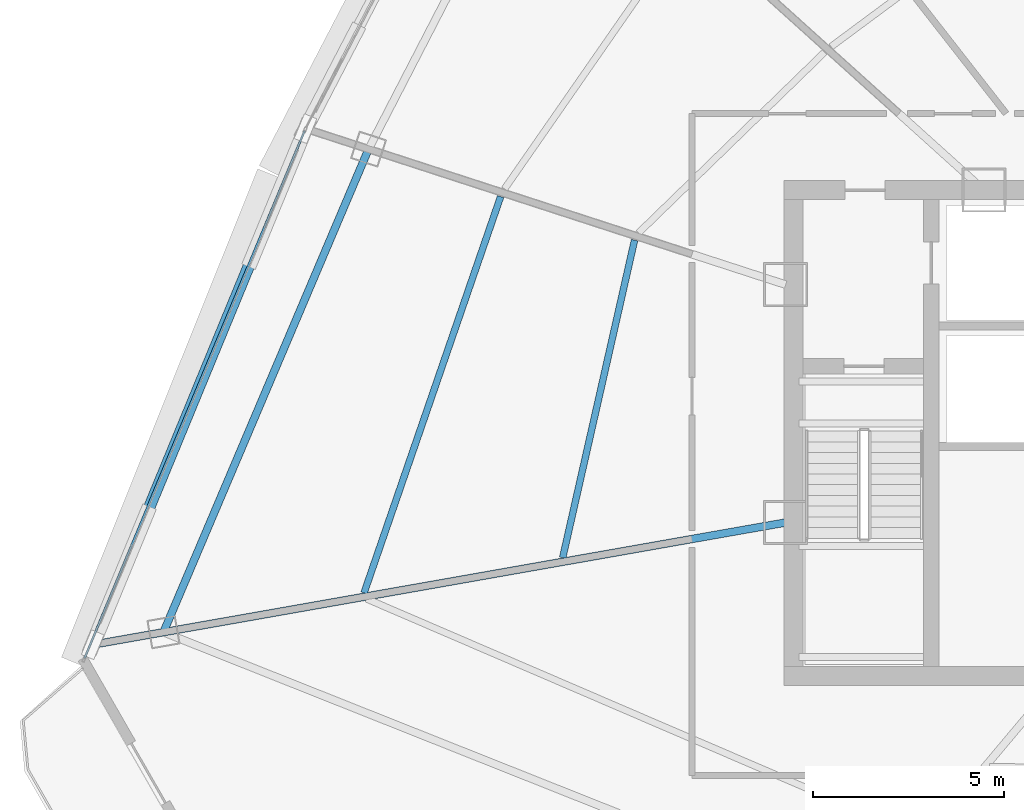
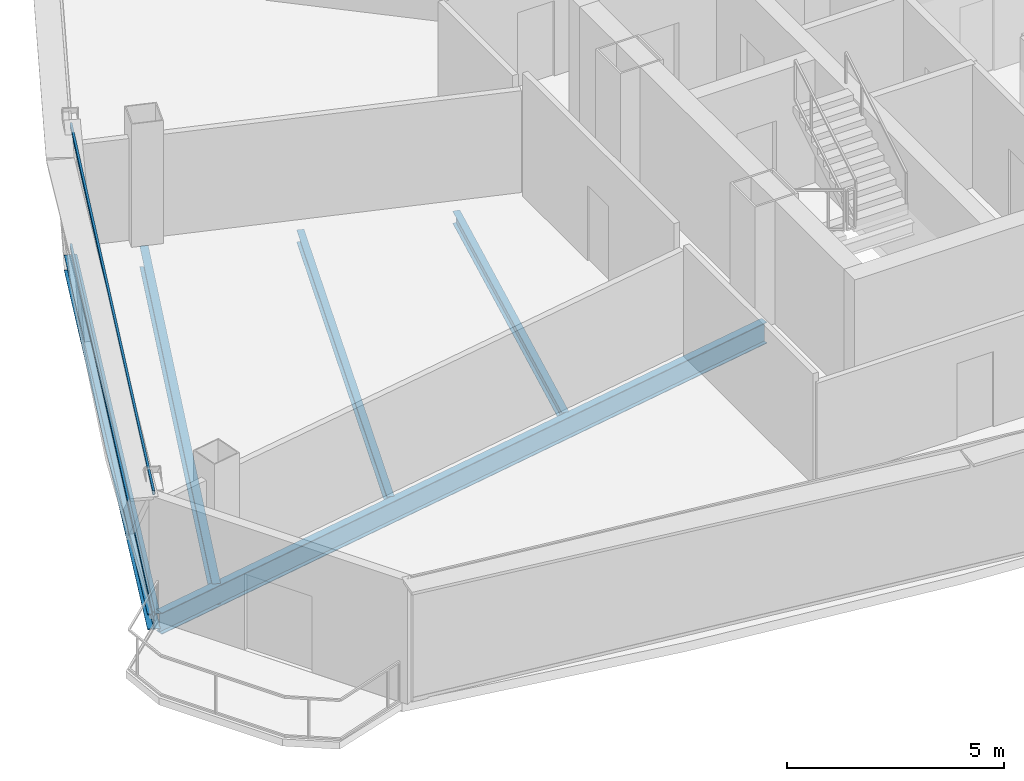
# One storey, part 5 of 35: 5 beams, 2 members, 1 element without a shape of its own.
"""IFC4 building model written with IfcOpenShell, lengths in metres."""

from ifc_helpers import new_model, si_unit, direction, frame, origin, origin_2d, place, context, subcontext, project, spatial, hollow_rectangle, i_section, extrude, source, transform, mapped, material, layer, layer_set, material_profile, profile_set, type_object, element, aggregate, save


model = new_model("IFC4")

# Units and contexts
model_context = context("Model", 3, precision=1e-05, world=origin(), true_north=direction((0.0, 1.0)))
body_context = subcontext(model_context, "Body", "Model", "MODEL_VIEW")
ifc_project = project(units=[si_unit("LENGTHUNIT", "METRE"), si_unit("AREAUNIT", "SQUARE_METRE"), si_unit("VOLUMEUNIT", "CUBIC_METRE"), si_unit("PLANEANGLEUNIT", "RADIAN"), si_unit("MASSUNIT", "GRAM", prefix="KILO"), si_unit("THERMODYNAMICTEMPERATUREUNIT", "KELVIN"), si_unit("POWERUNIT", "WATT")], contexts=[model_context])

# Site, building, storey
site_placement = place(None, origin())
site = spatial("IfcSite", under=ifc_project, at=site_placement, CompositionType="ELEMENT")
building_placement = place(site_placement, origin())
building = spatial("IfcBuilding", under=site, at=building_placement, Name="Yunzhuo Pagoda Commons", CompositionType="ELEMENT")
storey_placement = place(building_placement, frame((0.0, 0.0, 299.93994140625)))
storey = spatial("IfcBuildingStorey", under=building, at=storey_placement, Name="L75", CompositionType="ELEMENT", Elevation=299.93994140625)

# Beams
ifc_material_1 = material(Name="Structural steel Q355B", Category="steel")
ifc_material_profile_1 = material_profile(ifc_material_1, i_section(OverallWidth=0.199951171875, OverallDepth=0.60009765625, WebThickness=0.010986328125, FlangeThickness=0.01708984375, at=origin_2d()), Name="Structural steel Q355B")
ifc_profile_set_1 = profile_set([ifc_material_profile_1], Name="Structural steel Q355B")
beam_type_1 = type_object("IfcBeamType", Name="B-RG3 Beam HN 600x200x11x17", PredefinedType="BEAM", material=ifc_profile_set_1)
shared_shape_1 = source(origin(), body_context, "Body", "SweptSolid", [
    extrude(i_section(OverallWidth=0.199951171875, OverallDepth=0.60009765625, WebThickness=0.010986328125, FlangeThickness=0.01708984375, at=origin_2d()), origin(), (0.0, 0.0, 1.0), 13.715576171875),
])
beam_1_placement = place(storey_placement, frame((24.697509765625, 41.271484375, -0.56005859375), z_axis=(-0.390733146992, -0.920503996646, 0.0), x_axis=(0.920503996646, -0.390733146992, 0.0)))
element("IfcBeam", 1, at=beam_1_placement, inside=storey, type_object=beam_type_1, Name="L75 column-ring beam 11", PredefinedType="BEAM", context=body_context, shape_type="MappedRepresentation", body=[
    mapped(shared_shape_1, transform((0.0, 0.0, 0.0), scale=1.0)),
])
ifc_material_profile_2 = material_profile(ifc_material_1, i_section(OverallWidth=0.175048828125, OverallDepth=0.35009765625, WebThickness=0.007080078125, FlangeThickness=0.010986328125, at=origin_2d()), Name="Structural steel Q355B")
ifc_profile_set_2 = profile_set([ifc_material_profile_2], Name="Structural steel Q355B")
beam_type_2 = type_object("IfcBeamType", Name="B-JS2 Joist HN 350x175x7x11", PredefinedType="JOIST", material=ifc_profile_set_2)
shared_shape_2 = source(origin(), body_context, "Body", "SweptSolid", [
    extrude(i_section(OverallWidth=0.175048828125, OverallDepth=0.35009765625, WebThickness=0.007080078125, FlangeThickness=0.010986328125, at=origin_2d()), origin(), (0.0, 0.0, 1.0), 8.508544921875),
])
beam_2_placement = place(storey_placement, frame((31.649658203125, 38.89208984375, -0.43505859375), z_axis=(-0.220769003385, -0.975326123481, 0.0), x_axis=(0.975326123481, -0.220769003385, 0.0)))
element("IfcBeam", 2, at=beam_2_placement, inside=storey, type_object=beam_type_2, Name="L75 composite ring joist 1.11", PredefinedType="JOIST", context=body_context, shape_type="MappedRepresentation", body=[
    mapped(shared_shape_2, transform((0.0, 0.0, 0.0), scale=1.0)),
])
shared_shape_3 = source(origin(), body_context, "Body", "SweptSolid", [
    extrude(i_section(OverallWidth=0.175048828125, OverallDepth=0.35009765625, WebThickness=0.007080078125, FlangeThickness=0.010986328125, at=origin_2d()), origin(), (0.0, 0.0, 1.0), 10.954345703125),
])
beam_3_placement = place(storey_placement, frame((28.14892578125, 40.029052734375, -0.43505859375), z_axis=(-0.325839571137, -0.945425075763, 0.0), x_axis=(0.945425075763, -0.325839571137, 0.0)))
element("IfcBeam", 3, at=beam_3_placement, inside=storey, type_object=beam_type_2, Name="L75 composite ring joist 2.11", PredefinedType="JOIST", context=body_context, shape_type="MappedRepresentation", body=[
    mapped(shared_shape_3, transform((0.0, 0.0, 0.0), scale=1.0)),
])
shared_shape_4 = source(origin(), body_context, "Body", "SweptSolid", [
    extrude(i_section(OverallWidth=0.199951171875, OverallDepth=0.60009765625, WebThickness=0.010986328125, FlangeThickness=0.01708984375, at=origin_2d()), origin(), (0.0, 0.0, 1.0), 18.23828125),
])
beam_4_placement = place(storey_placement, frame((17.638916015625, 28.3466796875, -0.56005859375), z_axis=(0.984810499087, 0.173632603184, 0.0), x_axis=(-0.173632603184, 0.984810499087, 0.0)))
element("IfcBeam", 4, at=beam_4_placement, inside=storey, type_object=beam_type_1, Name="L75 radial floor girder F3C4", PredefinedType="BEAM", context=body_context, shape_type="MappedRepresentation", body=[
    mapped(shared_shape_4, transform((0.0, 0.0, 0.0), scale=1.0)),
])
ifc_material_profile_3 = material_profile(ifc_material_1, i_section(OverallWidth=0.300048828125, OverallDepth=0.43994140625, WebThickness=0.010986328125, FlangeThickness=0.01806640625, at=origin_2d()), Name="Structural steel Q355B")
ifc_profile_set_3 = profile_set([ifc_material_profile_3], Name="Structural steel Q355B")
beam_type_3 = type_object("IfcBeamType", Name="B-SP2 Beam HM 440x300x11x18", PredefinedType="BEAM", material=ifc_profile_set_3)
shared_shape_5 = source(origin(), body_context, "Body", "SweptSolid", [
    extrude(i_section(OverallWidth=0.300048828125, OverallDepth=0.43994140625, WebThickness=0.010986328125, FlangeThickness=0.01806640625, at=origin_2d()), origin(), (0.0, 0.0, 1.0), 14.589599609375),
])
beam_5_placement = place(storey_placement, frame((23.050048828125, 41.806640625, -0.47998046875), z_axis=(-0.381363277561, -0.92442525416, 0.0), x_axis=(0.92442525416, -0.381363277561, 0.0)))
element("IfcBeam", 5, at=beam_5_placement, inside=storey, type_object=beam_type_3, Name="L75 facade edge spandrel beam F3.3", PredefinedType="BEAM", context=body_context, shape_type="MappedRepresentation", body=[
    mapped(shared_shape_5, transform((0.0, 0.0, 0.0), scale=1.0)),
])

# Curtain wall, members
ifc_material_2 = material(Name="Anodized aluminium 6063-T6", Category="aluminium")
ifc_layer = layer(ifc_material_2, 0.139892578125)
ifc_layer_set = layer_set([ifc_layer], Name="Anodized aluminium 6063-T6")
curtain_wall_type = type_object("IfcCurtainWallType", Name="CW-HI High-Zone Ribbon Curtain Wall", PredefinedType="NOTDEFINED", material=ifc_layer_set)
curtain_wall_placement = place(storey_placement, origin())
curtain_wall = element("IfcCurtainWall", 6, at=curtain_wall_placement, inside=storey, type_object=curtain_wall_type, Name="L75 curtain wall CW-L75-F3B4", PredefinedType="NOTDEFINED")
ifc_material_profile_4 = material_profile(ifc_material_2, hollow_rectangle(XDim=0.054931640625, YDim=0.1201171875, WallThickness=0.00341796875, at=origin_2d()), Name="Anodized aluminium 6063-T6")
ifc_profile_set_4 = profile_set([ifc_material_profile_4], Name="Anodized aluminium 6063-T6")
member_type = type_object("IfcMemberType", Name="CW-HI-T Transom RHS 120x55x3.5", PredefinedType="USERDEFINED", material=ifc_profile_set_4)
shared_shape_6 = source(origin(), body_context, "Body", "SweptSolid", [
    extrude(hollow_rectangle(XDim=0.054931640625, YDim=0.1201171875, WallThickness=0.00341796875, at=origin_2d()), origin(), (0.0, 0.0, 1.0), 14.939208984375),
])
member_1_placement = place(storey_placement, frame((23.027099609375, 41.751220703125, 0.027587890625), z_axis=(-0.385102694445, -0.92287372632, 0.0), x_axis=(0.92287372632, -0.385102694445, 0.0)))
member_1 = element("IfcMember", 7, at=member_1_placement, type_object=member_type, Name="CW transom 1.1", ObjectType="TRANSOM", PredefinedType="USERDEFINED", context=body_context, shape_type="MappedRepresentation", body=[
    mapped(shared_shape_6, transform((0.0, 0.0, 0.0), scale=1.0)),
])
member_2_placement = place(storey_placement, frame((23.027099609375, 41.751220703125, 3.442626953125), z_axis=(-0.385102694445, -0.92287372632, 0.0), x_axis=(0.92287372632, -0.385102694445, 0.0)))
member_2 = element("IfcMember", 8, at=member_2_placement, type_object=member_type, Name="CW transom 1.2", ObjectType="TRANSOM", PredefinedType="USERDEFINED", context=body_context, shape_type="MappedRepresentation", body=[
    mapped(shared_shape_6, transform((0.0, 0.0, 0.0), scale=1.0)),
])
aggregate(curtain_wall, [member_1, member_2])

save(model, "model.ifc")
